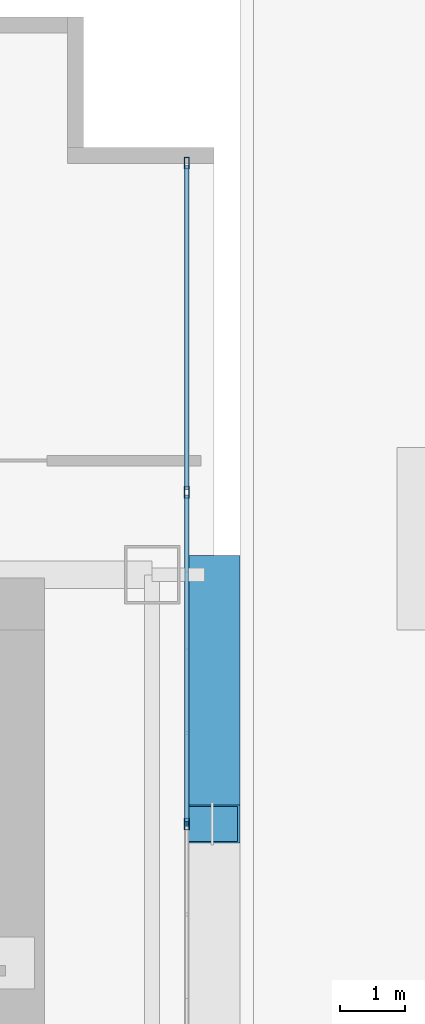
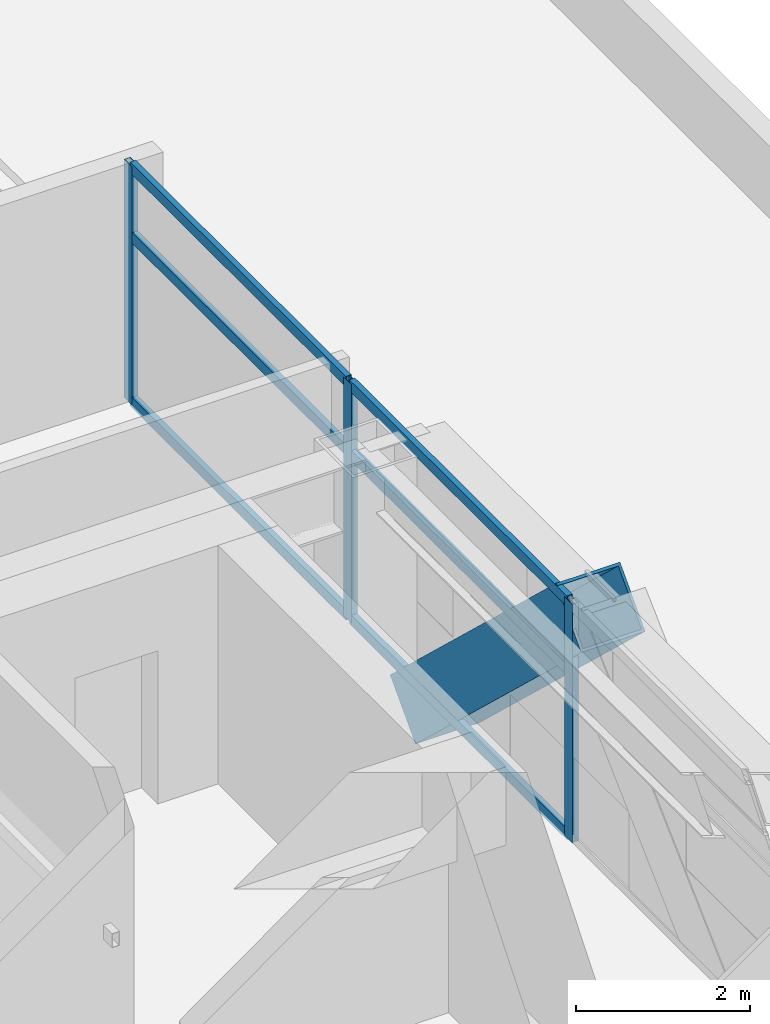
# One storey, part 19 of 35: 10 members, 1 element without a shape of its own.
"""IFC4 building model written with IfcOpenShell, lengths in metres."""

from ifc_helpers import new_model, si_unit, direction, frame, origin, origin_2d, place, context, subcontext, project, spatial, hollow_rectangle, extrude, source, transform, mapped, material, layer, layer_set, material_profile, profile_set, type_object, element, aggregate, save


model = new_model("IFC4")

# Units and contexts
model_context = context("Model", 3, precision=1e-05, world=origin(), true_north=direction((0.0, 1.0)))
body_context = subcontext(model_context, "Body", "Model", "MODEL_VIEW")
ifc_project = project(units=[si_unit("LENGTHUNIT", "METRE"), si_unit("AREAUNIT", "SQUARE_METRE"), si_unit("VOLUMEUNIT", "CUBIC_METRE"), si_unit("PLANEANGLEUNIT", "RADIAN"), si_unit("MASSUNIT", "GRAM", prefix="KILO")], contexts=[model_context])

# Site, building, storey
site_placement = place(None, origin())
site = spatial("IfcSite", under=ifc_project, at=site_placement, CompositionType="ELEMENT")
building_placement = place(site_placement, origin())
building = spatial("IfcBuilding", under=site, at=building_placement, Name="Ocotamira Hotel", CompositionType="ELEMENT")
storey_placement = place(building_placement, frame((0.0, 0.0, 34.800048828125)))
storey = spatial("IfcBuildingStorey", under=building, at=storey_placement, Name="L07", CompositionType="ELEMENT", Elevation=34.800048828125)

# Member
ifc_material_1 = material(Name="Pale-metal coated steel ASTM A913 Grade 65", Category="steel")
ifc_material_profile_1 = material_profile(ifc_material_1, hollow_rectangle(XDim=0.85009765625, YDim=0.85009765625, WallThickness=0.035888671875, at=origin_2d()), Name="BOX850X850X36")
ifc_profile_set_1 = profile_set([ifc_material_profile_1], Name="Pale-metal coated steel ASTM A913 Grade 65")
member_type_1 = type_object("IfcMemberType", Name="MEM-EXO-BOX850", PredefinedType="BRACE", material=ifc_profile_set_1)
shared_shape_1 = source(origin(), body_context, "Body", "SweptSolid", [
    extrude(hollow_rectangle(XDim=0.85009765625, YDim=0.85009765625, WallThickness=0.035888671875, at=origin_2d()), origin(), (0.0, 0.0, 1.0), 5.24658203125),
])
member_1_placement = place(storey_placement, frame((55.969970703125, 37.449951171875, -0.5), z_axis=(0.0, -0.72746596067, 0.686143772154), x_axis=(1.0, 0.0, 0.0)))
element("IfcMember", 1, at=member_1_placement, inside=storey, type_object=member_type_1, Name="L07 Exoskeleton Diagrid E2.2", PredefinedType="BRACE", context=body_context, shape_type="MappedRepresentation", body=[
    mapped(shared_shape_1, transform((0.0, 0.0, 0.0), scale=1.0)),
])

# Curtain wall, members
ifc_material_2 = material(Name="Anodised pale-metal aluminium and solar glass", Category="aluminium")
ifc_layer = layer(ifc_material_2, 0.179931640625)
ifc_layer_set = layer_set([ifc_layer], Name="Anodised pale-metal aluminium and solar glass")
curtain_wall_type = type_object("IfcCurtainWallType", Name="CW-SYS2-Z1", PredefinedType="NOTDEFINED", material=ifc_layer_set)
curtain_wall_placement = place(storey_placement, origin())
curtain_wall = element("IfcCurtainWall", 2, at=curtain_wall_placement, inside=storey, type_object=curtain_wall_type, Name="L07 Curtain Wall CW-2 CW-L07-E", PredefinedType="NOTDEFINED")
ifc_material_3 = material(Name="Anodised pale-metal aluminium 6063-T6", Category="aluminium")
ifc_material_profile_2 = material_profile(ifc_material_3, hollow_rectangle(XDim=0.080078125, YDim=0.179931640625, WallThickness=0.006103515625, at=origin_2d()), Name="HSS180X80X6")
ifc_profile_set_2 = profile_set([ifc_material_profile_2], Name="Anodised pale-metal aluminium 6063-T6")
member_type_2 = type_object("IfcMemberType", Name="CWM-180X75", PredefinedType="MULLION", material=ifc_profile_set_2)
shared_shape_2 = source(origin(), body_context, "Body", "SweptSolid", [
    extrude(hollow_rectangle(XDim=0.080078125, YDim=0.179931640625, WallThickness=0.006103515625, at=origin_2d()), origin(), (0.0, 0.0, 1.0), 3.349853515625),
])
member_2_placement = place(storey_placement, frame((55.580078125, 33.628662109375, 0.0), z_axis=(0.0, 0.0, 1.0), x_axis=(-1.0, 0.0, 0.0)))
member_2 = element("IfcMember", 3, at=member_2_placement, type_object=member_type_2, Name="CW-2 mullion 6", PredefinedType="MULLION", context=body_context, shape_type="MappedRepresentation", body=[
    mapped(shared_shape_2, transform((0.0, 0.0, 0.0), scale=1.0)),
])
member_3_placement = place(storey_placement, frame((55.580078125, 38.71435546875, 0.0), z_axis=(0.0, 0.0, 1.0), x_axis=(-1.0, 0.0, 0.0)))
member_3 = element("IfcMember", 4, at=member_3_placement, type_object=member_type_2, Name="CW-2 mullion 7", PredefinedType="MULLION", context=body_context, shape_type="MappedRepresentation", body=[
    mapped(shared_shape_2, transform((0.0, 0.0, 0.0), scale=1.0)),
])
member_4_placement = place(storey_placement, frame((55.580078125, 43.760009765625, 0.0), z_axis=(0.0, 0.0, 1.0), x_axis=(-1.0, 0.0, 0.0)))
member_4 = element("IfcMember", 5, at=member_4_placement, type_object=member_type_2, Name="CW-2 mullion 8", PredefinedType="MULLION", context=body_context, shape_type="MappedRepresentation", body=[
    mapped(shared_shape_2, transform((0.0, 0.0, 0.0), scale=1.0)),
])
ifc_material_profile_3 = material_profile(ifc_material_3, hollow_rectangle(XDim=0.074951171875, YDim=0.14990234375, WallThickness=0.006103515625, at=origin_2d()), Name="HSS150X75X6")
ifc_profile_set_3 = profile_set([ifc_material_profile_3], Name="Anodised pale-metal aluminium 6063-T6")
member_type_3 = type_object("IfcMemberType", Name="CWT-150X75", PredefinedType="USERDEFINED", material=ifc_profile_set_3)
shared_shape_3 = source(origin(), body_context, "Body", "SweptSolid", [
    extrude(hollow_rectangle(XDim=0.074951171875, YDim=0.14990234375, WallThickness=0.006103515625, at=origin_2d()), origin(), (0.0, 0.0, 1.0), 4.965576171875),
])
member_5_placement = place(storey_placement, frame((55.580078125, 38.75439453125, 0.037353515625), z_axis=(0.0, 1.0, 0.0), x_axis=(-1.0, 0.0, 0.0)))
member_5 = element("IfcMember", 6, at=member_5_placement, type_object=member_type_3, Name="CW-2 transom 7.1", ObjectType="TRANSOM", PredefinedType="USERDEFINED", context=body_context, shape_type="MappedRepresentation", body=[
    mapped(shared_shape_3, transform((0.0, 0.0, 0.0), scale=1.0)),
])
member_6_placement = place(storey_placement, frame((55.580078125, 38.75439453125, 2.349853515625), z_axis=(0.0, 1.0, 0.0), x_axis=(-1.0, 0.0, 0.0)))
member_6 = element("IfcMember", 7, at=member_6_placement, type_object=member_type_3, Name="CW-2 transom 7.2", ObjectType="TRANSOM", PredefinedType="USERDEFINED", context=body_context, shape_type="MappedRepresentation", body=[
    mapped(shared_shape_3, transform((0.0, 0.0, 0.0), scale=1.0)),
])
member_7_placement = place(storey_placement, frame((55.580078125, 38.75439453125, 3.3125), z_axis=(0.0, 1.0, 0.0), x_axis=(-1.0, 0.0, 0.0)))
member_7 = element("IfcMember", 8, at=member_7_placement, type_object=member_type_3, Name="CW-2 transom 7.3", ObjectType="TRANSOM", PredefinedType="USERDEFINED", context=body_context, shape_type="MappedRepresentation", body=[
    mapped(shared_shape_3, transform((0.0, 0.0, 0.0), scale=1.0)),
])
shared_shape_4 = source(origin(), body_context, "Body", "SweptSolid", [
    extrude(hollow_rectangle(XDim=0.074951171875, YDim=0.14990234375, WallThickness=0.006103515625, at=origin_2d()), origin(), (0.0, 0.0, 1.0), 5.005859375),
])
member_8_placement = place(storey_placement, frame((55.580078125, 33.66845703125, 0.037353515625), z_axis=(0.0, 1.0, 0.0), x_axis=(-1.0, 0.0, 0.0)))
member_8 = element("IfcMember", 9, at=member_8_placement, type_object=member_type_3, Name="CW-2 transom 6.1", ObjectType="TRANSOM", PredefinedType="USERDEFINED", context=body_context, shape_type="MappedRepresentation", body=[
    mapped(shared_shape_4, transform((0.0, 0.0, 0.0), scale=1.0)),
])
member_9_placement = place(storey_placement, frame((55.580078125, 33.66845703125, 2.349853515625), z_axis=(0.0, 1.0, 0.0), x_axis=(-1.0, 0.0, 0.0)))
member_9 = element("IfcMember", 10, at=member_9_placement, type_object=member_type_3, Name="CW-2 transom 6.2", ObjectType="TRANSOM", PredefinedType="USERDEFINED", context=body_context, shape_type="MappedRepresentation", body=[
    mapped(shared_shape_4, transform((0.0, 0.0, 0.0), scale=1.0)),
])
member_10_placement = place(storey_placement, frame((55.580078125, 33.66845703125, 3.3125), z_axis=(0.0, 1.0, 0.0), x_axis=(-1.0, 0.0, 0.0)))
member_10 = element("IfcMember", 11, at=member_10_placement, type_object=member_type_3, Name="CW-2 transom 6.3", ObjectType="TRANSOM", PredefinedType="USERDEFINED", context=body_context, shape_type="MappedRepresentation", body=[
    mapped(shared_shape_4, transform((0.0, 0.0, 0.0), scale=1.0)),
])
aggregate(curtain_wall, [member_2, member_3, member_4, member_8, member_9, member_10, member_5, member_6, member_7])

save(model, "model.ifc")
